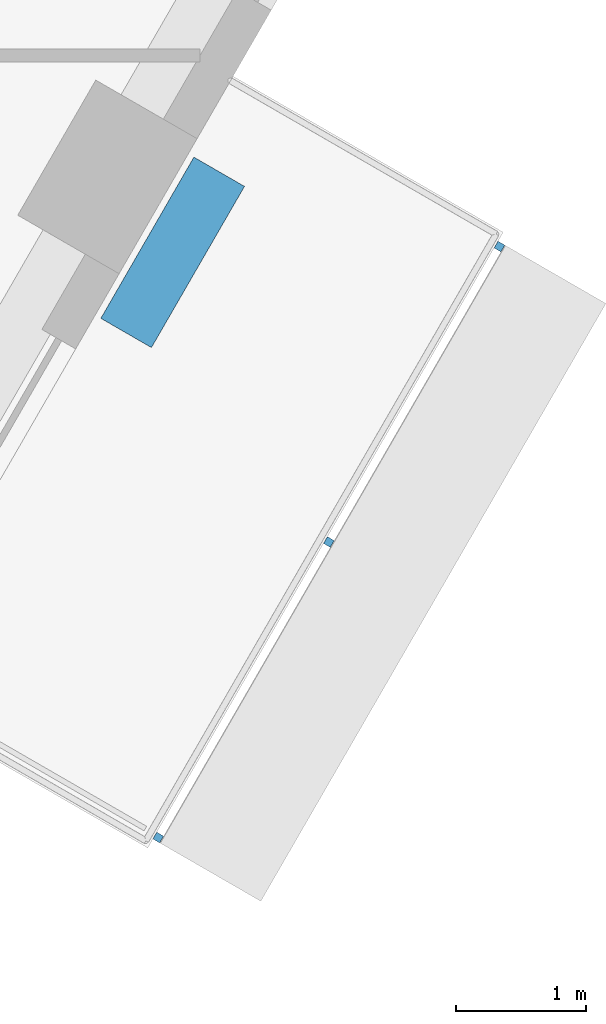
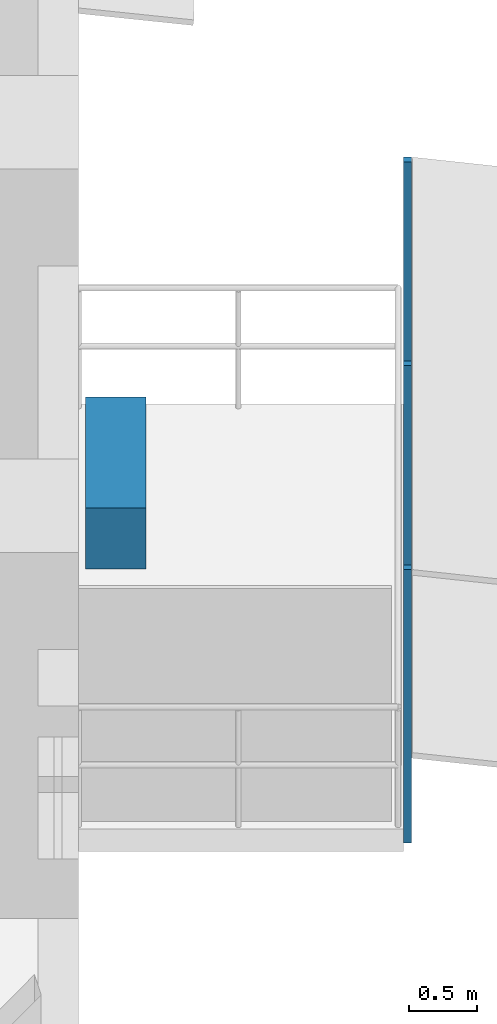
# One storey, part 12 of 18: 4 discrete accessories.
"""IFC4 building model written with IfcOpenShell, lengths in metres."""

from ifc_helpers import new_model, si_unit, direction, frame, origin, origin_2d, place, context, subcontext, project, spatial, rectangle, extrude, material, type_object, element, save


model = new_model("IFC4")

# Units and contexts
model_context = context("Model", 3, precision=1e-05, world=origin(), true_north=direction((0.0, 1.0)))
body_context = subcontext(model_context, "Body", "Model", "MODEL_VIEW")
ifc_project = project(units=[si_unit("LENGTHUNIT", "METRE"), si_unit("AREAUNIT", "SQUARE_METRE"), si_unit("VOLUMEUNIT", "CUBIC_METRE"), si_unit("PLANEANGLEUNIT", "RADIAN"), si_unit("MASSUNIT", "GRAM", prefix="KILO")], contexts=[model_context])

# Site, building, storey
site_placement = place(None, origin())
site = spatial("IfcSite", under=ifc_project, at=site_placement, CompositionType="ELEMENT")
building_placement = place(site_placement, origin())
building = spatial("IfcBuilding", under=site, at=building_placement, Name="Nakaniwa Court", CompositionType="ELEMENT")
storey_placement = place(building_placement, frame((0.0, 0.0, 180.0)))
storey = spatial("IfcBuildingStorey", under=building, at=storey_placement, Name="L46", CompositionType="ELEMENT", Elevation=180.0)

# Discrete accessories
ifc_material_1 = material(Name="Black powder-coated steel bracket S275", Category="steel")
discrete_accessory_type_1 = type_object("IfcDiscreteAccessoryType", Name="Black metal louvre bracket", PredefinedType="BRACKET", material=ifc_material_1)
for number, where, z_axis, x_axis, name in (
    (1, (99.5302734375, 63.66748046875, -0.22998046875), (0.0, 0.0, 1.0), (0.500016626402, 0.866015804314, 0.0), "L46 louvre bracket 02 1"),
    (2, (100.843017578125, 65.941162109375, -0.22998046875), (0.0, 0.0, 1.0), (0.500016626402, 0.866015804314, 0.0), "L46 louvre bracket 02 2"),
    (3, (102.15576171875, 68.214599609375, -0.22998046875), (0.0, 0.0, 1.0), (0.500016626402, 0.866015804314, 0.0), "L46 louvre bracket 02 3"),
):
    element("IfcDiscreteAccessory", number, at=place(storey_placement, frame(where, z_axis=z_axis, x_axis=x_axis)), inside=storey, type_object=discrete_accessory_type_1, Name=name, PredefinedType="BRACKET", context=body_context, shape_type="SweptSolid", body=[
        extrude(rectangle(XDim=0.06005859375, YDim=0.06005859375, at=origin_2d()), origin(), (0.0, 0.0, 1.0), 2.46337890625),
    ])
ifc_material_2 = material(Name="Precast concrete C40/50 planter with planted soil", Category="concrete")
discrete_accessory_type_2 = type_object("IfcDiscreteAccessoryType", Name="Planter box charcoal concrete", PredefinedType="USERDEFINED", material=ifc_material_2)
discrete_accessory_placement = place(storey_placement, frame((99.641357421875, 68.169677734375, -0.0498046875), z_axis=(0.0, 0.0, 1.0), x_axis=(0.500016626402, 0.866015804314, 0.0)))
element("IfcDiscreteAccessory", 4, at=discrete_accessory_placement, inside=storey, type_object=discrete_accessory_type_2, Name="L46 balcony PLANTER 02", ObjectType="PLANTER", PredefinedType="USERDEFINED", context=body_context, shape_type="SweptSolid", body=[
    extrude(rectangle(XDim=1.432373046875, YDim=0.449951171875, at=origin_2d()), origin(), (0.0, 0.0, 1.0), 0.550048828125),
])

save(model, "model.ifc")
